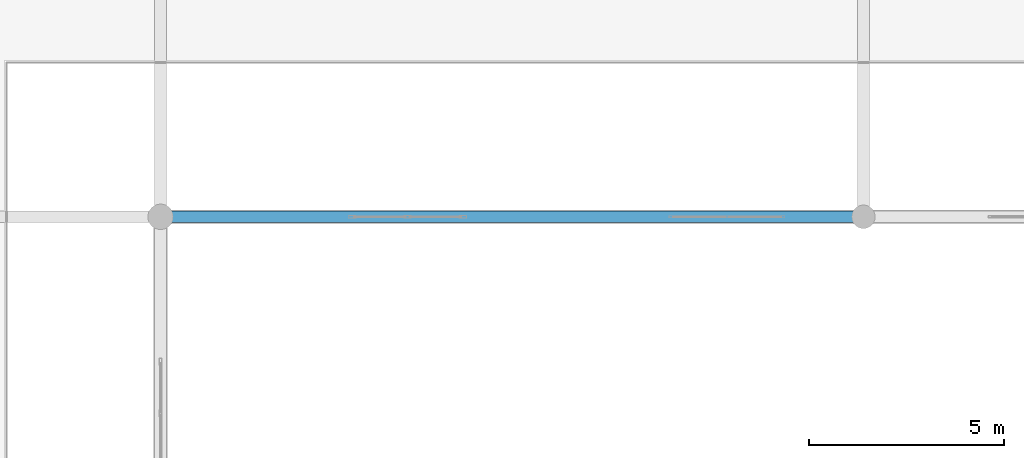
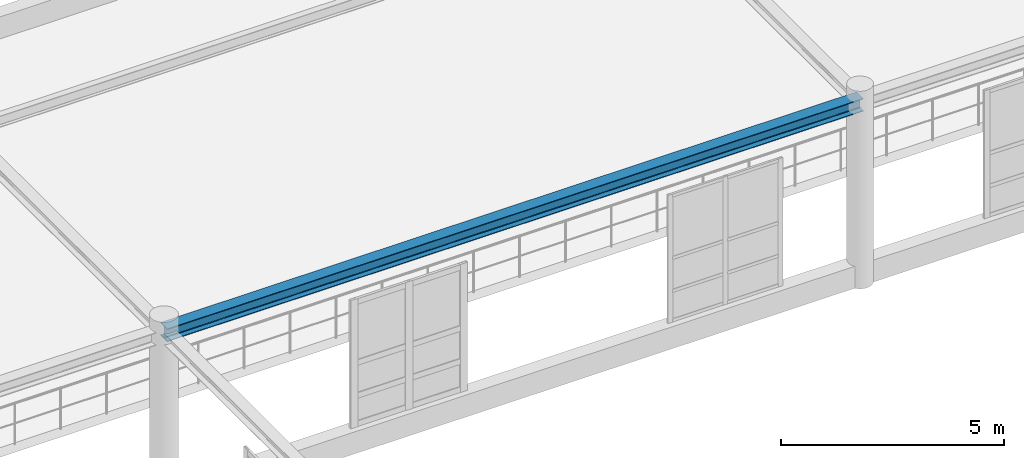
# One storey, part 71 of 197: 1 beam.
"""IFC4 building model written with IfcOpenShell, lengths in metres."""

from ifc_helpers import new_model, si_unit, derived_unit, direction, frame, origin, origin_2d, place, context, subcontext, project, spatial, i_section, extrude, material, material_profile, profile_set, type_object, element, save


model = new_model("IFC4")

# Units and contexts
model_context = context("Model", 3, precision=1e-05, world=origin(), true_north=direction((0.0, 1.0)))
body_context = subcontext(model_context, "Body", "Model", "MODEL_VIEW")
ifc_project = project(units=[si_unit("LENGTHUNIT", "METRE"), si_unit("AREAUNIT", "SQUARE_METRE"), si_unit("VOLUMEUNIT", "CUBIC_METRE"), si_unit("PLANEANGLEUNIT", "RADIAN"), si_unit("MASSUNIT", "GRAM", prefix="KILO"), derived_unit("THERMALTRANSMITTANCEUNIT", [(si_unit("POWERUNIT", "WATT"), 1), (si_unit("LENGTHUNIT", "METRE"), -2), (si_unit("THERMODYNAMICTEMPERATUREUNIT", "KELVIN"), -1)])], contexts=[model_context])

# Site, building, storey
site_placement = place(None, origin())
site = spatial("IfcSite", under=ifc_project, at=site_placement, CompositionType="ELEMENT")
building_placement = place(site_placement, origin())
building = spatial("IfcBuilding", under=site, at=building_placement, Name="Almenara Railside Exhibition Hall", CompositionType="ELEMENT")
storey_placement = place(building_placement, frame((0.0, 0.0, 5.39990234375)))
storey = spatial("IfcBuildingStorey", under=building, at=storey_placement, Name="L01", CompositionType="ELEMENT", Elevation=5.39990234375)

# Beam
ifc_material = material(Name="Structural steel S355JR", Category="steel")
ifc_material_profile = material_profile(ifc_material, i_section(OverallWidth=0.300048828125, OverallDepth=0.35009765625, WebThickness=0.010009765625, FlangeThickness=0.017578125, FilletRadius=0.027099609375, at=origin_2d()), Name="HEA 360")
ifc_profile_set = profile_set([ifc_material_profile], Name="Structural steel S355JR")
beam_type = type_object("IfcBeamType", Name="Steel Concourse Frame Beam HEA 360 S355JR", PredefinedType="BEAM", material=ifc_profile_set)
beam_placement = place(storey_placement, frame((84.0, 90.0, 4.9111328125), z_axis=(1.0, 0.0, 0.0), x_axis=(0.0, 1.0, 0.0)))
element("IfcBeam", 1, at=beam_placement, inside=storey, type_object=beam_type, Name="Beam 0801", PredefinedType="BEAM", context=body_context, shape_type="SweptSolid", body=[
    extrude(i_section(OverallWidth=0.300048828125, OverallDepth=0.35009765625, WebThickness=0.010009765625, FlangeThickness=0.017578125, FilletRadius=0.027099609375, at=origin_2d()), origin(), (0.0, 0.0, 1.0), 18.0),
])

save(model, "model.ifc")
